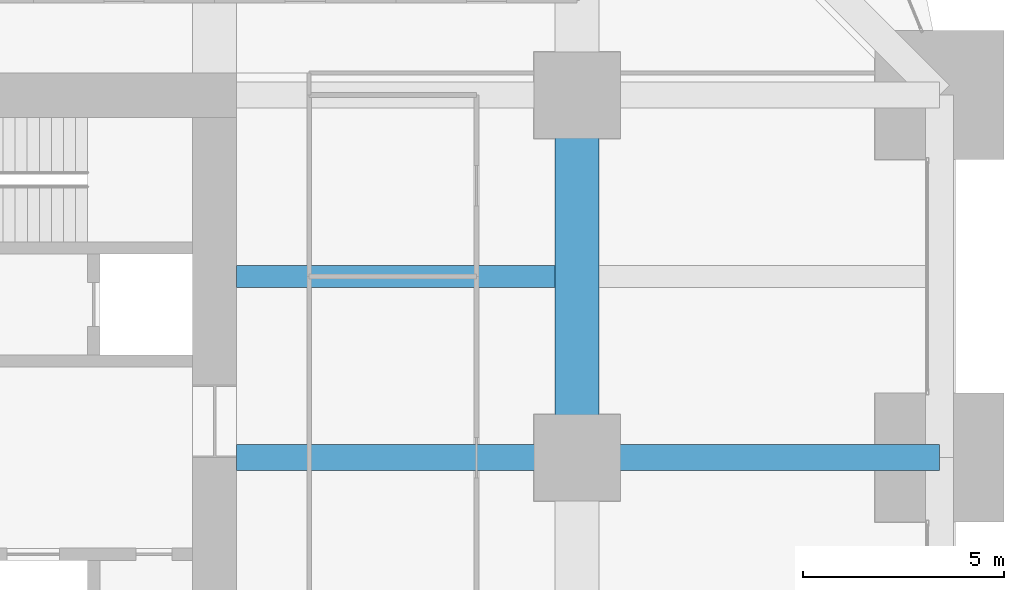
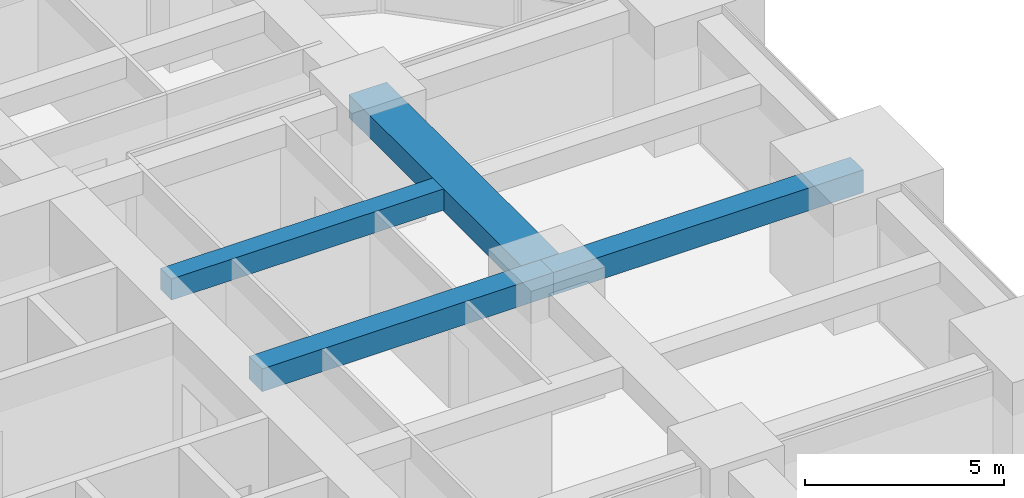
# One storey, part 22 of 41: 4 beams.
"""IFC4 building model written with IfcOpenShell, lengths in metres."""

from ifc_helpers import new_model, si_unit, direction, frame, origin, origin_2d, place, context, subcontext, project, spatial, rectangle, extrude, material, material_profile, profile_set, type_object, element, save


model = new_model("IFC4")

# Units and contexts
model_context = context("Model", 3, precision=1e-05, world=origin(), true_north=direction((0.0, 1.0)))
body_context = subcontext(model_context, "Body", "Model", "MODEL_VIEW")
ifc_project = project(units=[si_unit("LENGTHUNIT", "METRE"), si_unit("AREAUNIT", "SQUARE_METRE"), si_unit("VOLUMEUNIT", "CUBIC_METRE"), si_unit("PLANEANGLEUNIT", "RADIAN"), si_unit("MASSUNIT", "GRAM", prefix="KILO")], contexts=[model_context])

# Site, building, storey
site_placement = place(None, origin())
site = spatial("IfcSite", under=ifc_project, at=site_placement, CompositionType="ELEMENT")
building_placement = place(site_placement, origin())
building = spatial("IfcBuilding", under=site, at=building_placement, Name="Zorevar Civic Tower", CompositionType="ELEMENT")
storey_placement = place(building_placement, frame((0.0, 0.0, 89.0)))
storey = spatial("IfcBuildingStorey", under=building, at=storey_placement, Name="L21", CompositionType="ELEMENT", Elevation=89.0)

# Beams
ifc_material_1 = material(Name="Concrete C50/60", Category="concrete")
ifc_material_profile_1 = material_profile(ifc_material_1, rectangle(XDim=1.10009765625, YDim=0.699951171875, at=origin_2d()), Name="RC 1100x700")
ifc_profile_set_1 = profile_set([ifc_material_profile_1], Name="Concrete C50/60")
beam_type_1 = type_object("IfcBeamType", Name="Beam RC 1100x700", PredefinedType="BEAM", material=ifc_profile_set_1)
beam_1_placement = place(storey_placement, frame((54.0, 27.0, 3.39990234375), z_axis=(0.0, 1.0, 0.0), x_axis=(-1.0, 0.0, 0.0)))
element("IfcBeam", 1, at=beam_1_placement, inside=storey, type_object=beam_type_1, Name="Girder L22", PredefinedType="BEAM", context=body_context, shape_type="SweptSolid", body=[
    extrude(rectangle(XDim=1.10009765625, YDim=0.699951171875, at=origin_2d()), origin(), (0.0, 0.0, 1.0), 9.0),
])
ifc_material_2 = material(Name="Concrete C50/60", Category="concrete")
ifc_material_profile_2 = material_profile(ifc_material_2, rectangle(XDim=0.550048828125, YDim=0.64990234375, at=origin_2d()), Name="RC 550x650")
ifc_profile_set_2 = profile_set([ifc_material_profile_2], Name="Concrete C50/60")
beam_type_2 = type_object("IfcBeamType", Name="Beam RC 550x650", PredefinedType="BEAM", material=ifc_profile_set_2)
beam_2_placement = place(storey_placement, frame((45.550048828125, 31.5, 3.425048828125), z_axis=(1.0, 0.0, 0.0), x_axis=(0.0, 1.0, 0.0)))
element("IfcBeam", 2, at=beam_2_placement, inside=storey, type_object=beam_type_2, Name="Secondary beam L22", PredefinedType="BEAM", context=body_context, shape_type="SweptSolid", body=[
    extrude(rectangle(XDim=0.550048828125, YDim=0.64990234375, at=origin_2d()), origin(), (0.0, 0.0, 1.0), 7.89990234375),
])
ifc_material_3 = material(Name="Concrete C50/60", Category="concrete")
ifc_material_profile_3 = material_profile(ifc_material_3, rectangle(XDim=0.64990234375, YDim=0.699951171875, at=origin_2d()), Name="RC 650x700")
ifc_profile_set_3 = profile_set([ifc_material_profile_3], Name="Concrete C50/60")
beam_type_3 = type_object("IfcBeamType", Name="Beam RC 650x700", PredefinedType="BEAM", material=ifc_profile_set_3)
beam_3_placement = place(storey_placement, frame((45.550048828125, 27.0, 3.39990234375), z_axis=(1.0, 0.0, 0.0), x_axis=(0.0, 1.0, 0.0)))
element("IfcBeam", 3, at=beam_3_placement, inside=storey, type_object=beam_type_3, Name="Girder L22", PredefinedType="BEAM", context=body_context, shape_type="SweptSolid", body=[
    extrude(rectangle(XDim=0.64990234375, YDim=0.699951171875, at=origin_2d()), origin(), (0.0, 0.0, 1.0), 8.449951171875),
])
beam_4_placement = place(storey_placement, frame((54.0, 27.0, 3.39990234375), z_axis=(1.0, 0.0, 0.0), x_axis=(0.0, 1.0, 0.0)))
element("IfcBeam", 4, at=beam_4_placement, inside=storey, type_object=beam_type_3, Name="Girder L22", PredefinedType="BEAM", context=body_context, shape_type="SweptSolid", body=[
    extrude(rectangle(XDim=0.64990234375, YDim=0.699951171875, at=origin_2d()), origin(), (0.0, 0.0, 1.0), 9.0),
])

save(model, "model.ifc")
